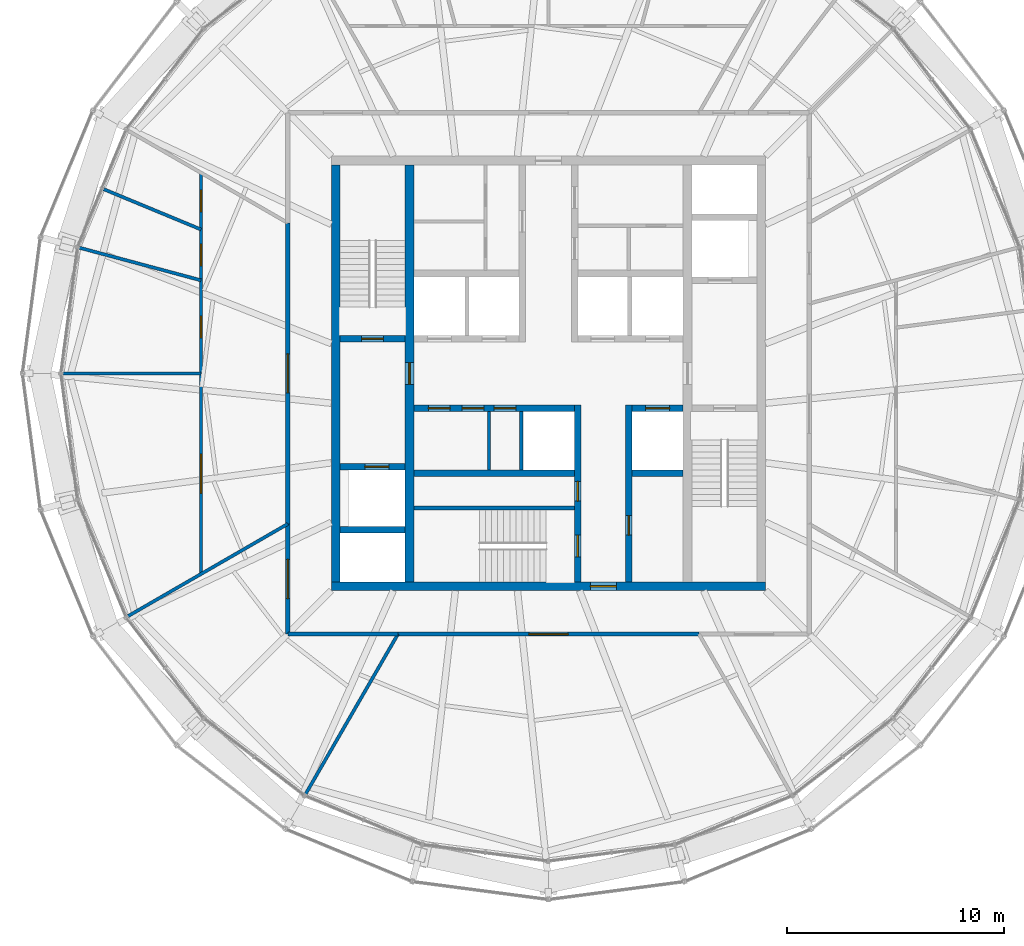
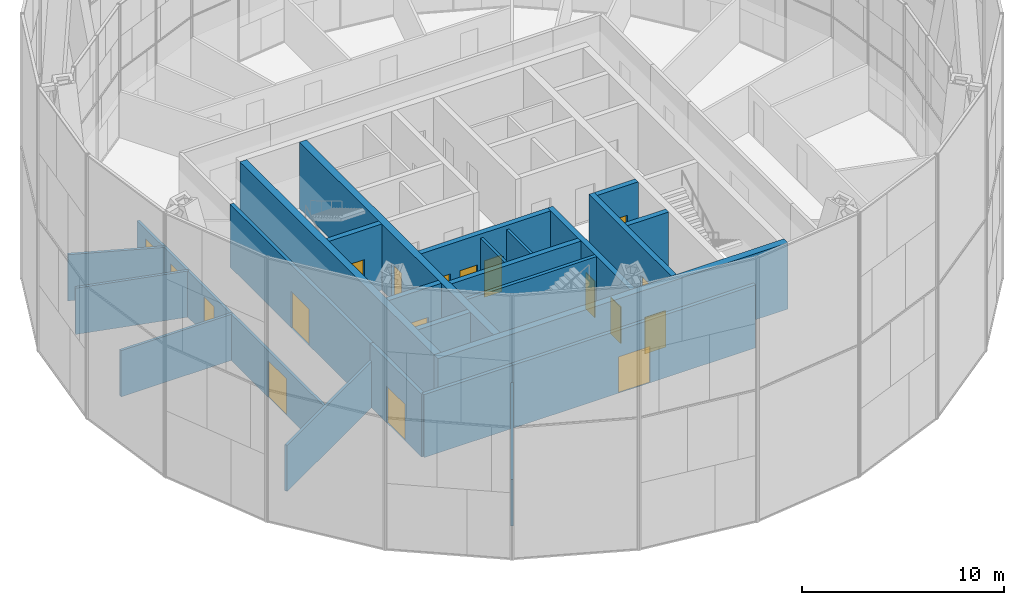
# One storey, part 18 of 22: 25 walls, 18 doors, 18 openings.
"""IFC4 building model written with IfcOpenShell, lengths in metres."""

from ifc_helpers import new_model, si_unit, direction, frame, frame_2d, origin, place, context, subcontext, project, spatial, rectangle, extrude, material, layer, layer_set, type_object, element, fill, save


model = new_model("IFC4")

# Units and contexts
model_context = context("Model", 3, precision=1e-05, world=origin(), true_north=direction((0.0, 1.0)))
body_context = subcontext(model_context, "Body", "Model", "MODEL_VIEW")
ifc_project = project(units=[si_unit("LENGTHUNIT", "METRE"), si_unit("AREAUNIT", "SQUARE_METRE"), si_unit("VOLUMEUNIT", "CUBIC_METRE"), si_unit("PLANEANGLEUNIT", "RADIAN"), si_unit("MASSUNIT", "GRAM", prefix="KILO")], contexts=[model_context])

# Site, building, storey
site_placement = place(None, origin())
site = spatial("IfcSite", under=ifc_project, at=site_placement, CompositionType="ELEMENT")
building_placement = place(site_placement, origin())
building = spatial("IfcBuilding", under=site, at=building_placement, Name="Golbaran Civic Tower", CompositionType="ELEMENT")
storey_placement = place(building_placement, frame((0.0, 0.0, 248.0)))
storey = spatial("IfcBuildingStorey", under=building, at=storey_placement, Name="L60", CompositionType="ELEMENT", Elevation=248.0)

# Walls
ifc_material_1 = material(Name="Concrete block", Category="concrete")
ifc_layer_1 = layer(ifc_material_1, 0.14990234375, Name="Concrete block")
ifc_layer_set_1 = layer_set([ifc_layer_1], Name="Concrete block")
wall_type_1 = type_object("IfcWallType", Name="BLOCKWORK PARTITION 150", PredefinedType="PARTITIONING", material=ifc_layer_set_1)
for number, where, z_axis, x_axis, name in (
    (1, (-2.739990234375, -1.75, 0.0), (0.0, 0.0, 1.0), (0.0, -1.0, 0.0), "Core room partition HP0 L60"),
    (2, (-1.25, -1.75, 0.0), (0.0, 0.0, 1.0), (0.0, -1.0, 0.0), "Lift H3 hoistway west wall L60"),
):
    element("IfcWall", number, at=place(storey_placement, frame(where, z_axis=z_axis, x_axis=x_axis)), inside=storey, type_object=wall_type_1, Name=name, PredefinedType="PARTITIONING", context=body_context, shape_type="SweptSolid", body=[
        extrude(rectangle(XDim=2.699951171875, YDim=0.14990234375, at=frame_2d((1.35009765625, 0.0))), origin(), (0.0, 0.0, 1.0), 3.75),
    ])

# Wall, opening, door
ifc_material_2 = material(Name="Concrete C50/60", Category="concrete")
ifc_layer_2 = layer(ifc_material_2, 0.39990234375, Name="Concrete C50/60")
ifc_layer_set_2 = layer_set([ifc_layer_2], Name="Concrete C50/60")
wall_type_2 = type_object("IfcWallType", Name="CORE WALL CONCRETE 400", PredefinedType="SOLIDWALL", material=ifc_layer_set_2)
wall_1_placement = place(storey_placement, frame((10.0, -9.800048828125, 0.0), z_axis=(0.0, 0.0, 1.0), x_axis=(-1.0, 0.0, 0.0)))
wall_1 = element("IfcWall", 3, at=wall_1_placement, inside=storey, type_object=wall_type_2, Name="Core wall CS L60", PredefinedType="SOLIDWALL", context=body_context, shape_type="SweptSolid", body=[
    extrude(rectangle(XDim=20.0, YDim=0.39990234375, at=frame_2d((10.0, 0.0))), origin(), (0.0, 0.0, 1.0), 4.0),
])
opening_1_placement = place(wall_1_placement, frame((6.875, 0.0, 0.0)))
opening_1 = element("IfcOpeningElement", 4, at=opening_1_placement, cuts=wall_1, Name="Opening L60.CS", PredefinedType="OPENING", context=body_context, shape_type="SweptSolid", body=[
    extrude(rectangle(XDim=1.199951171875, YDim=2.199951171875, at=frame_2d((0.60009765625, 1.10009765625))), frame((0.0, 0.2099609375, 0.0), z_axis=(0.0, -1.0, 0.0), x_axis=(1.0, 0.0, 0.0)), (0.0, 0.0, 1.0), 0.419921875),
])
ifc_material_3 = material(Name="Timber door set in steel frame", Category="steel")
door_type_1 = type_object("IfcDoorType", Name="CORE DOOR 1200x2200", OperationType="DOUBLE_DOOR_SINGLE_SWING", PredefinedType="DOOR", material=ifc_material_3)
door_1_placement = place(opening_1_placement, origin())
door_1 = element("IfcDoor", 5, at=door_1_placement, inside=storey, type_object=door_type_1, Name="Core door south", OperationType="DOUBLE_DOOR_SINGLE_SWING", OverallHeight=2.199951171875, OverallWidth=1.199951171875, PredefinedType="DOOR", context=body_context, shape_type="SweptSolid", body=[
    extrude(rectangle(XDim=1.199951171875, YDim=2.199951171875, at=frame_2d((0.60009765625, 1.10009765625))), frame((0.0, 0.02490234375, 0.0), z_axis=(0.0, -1.0, 0.0), x_axis=(1.0, 0.0, 0.0)), (0.0, 0.0, 1.0), 0.050048828125),
])
fill(opening_1, door_1)

# Wall
wall_2_placement = place(storey_placement, frame((-9.800048828125, 9.60009765625, 0.0), z_axis=(0.0, 0.0, 1.0), x_axis=(0.0, -1.0, 0.0)))
element("IfcWall", 6, at=wall_2_placement, inside=storey, type_object=wall_type_2, Name="Core wall CW L60", PredefinedType="SOLIDWALL", context=body_context, shape_type="SweptSolid", body=[
    extrude(rectangle(XDim=19.2001953125, YDim=0.39990234375, at=frame_2d((9.60009765625, 0.0))), origin(), (0.0, 0.0, 1.0), 4.0),
])

# Wall, opening, door
wall_3_placement = place(storey_placement, frame((-6.39990234375, -9.60009765625, 0.0), z_axis=(0.0, 0.0, 1.0), x_axis=(0.0, 1.0, 0.0)))
wall_3 = element("IfcWall", 7, at=wall_3_placement, inside=storey, type_object=wall_type_2, Name="Core wall IW L60", PredefinedType="SOLIDWALL", context=body_context, shape_type="SweptSolid", body=[
    extrude(rectangle(XDim=19.2001953125, YDim=0.39990234375, at=frame_2d((9.60009765625, 0.0))), origin(), (0.0, 0.0, 1.0), 4.0),
])
opening_2_placement = place(wall_3_placement, frame((9.10009765625, 0.0, 0.0)))
opening_2 = element("IfcOpeningElement", 8, at=opening_2_placement, cuts=wall_3, Name="Opening L60.FL1", PredefinedType="OPENING", context=body_context, shape_type="SweptSolid", body=[
    extrude(rectangle(XDim=1.0, YDim=2.199951171875, at=frame_2d((0.5, 1.10009765625))), frame((0.0, 0.2099609375, 0.0), z_axis=(0.0, -1.0, 0.0), x_axis=(1.0, 0.0, 0.0)), (0.0, 0.0, 1.0), 0.419921875),
])
door_type_2 = type_object("IfcDoorType", Name="STAIR DOOR 1000x2200", OperationType="SINGLE_SWING_LEFT", PredefinedType="DOOR", material=ifc_material_3)
door_2_placement = place(opening_2_placement, origin())
door_2 = element("IfcDoor", 9, at=door_2_placement, inside=storey, type_object=door_type_2, Name="Fire-fighting lobby FL1 door", OperationType="SINGLE_SWING_LEFT", OverallHeight=2.199951171875, OverallWidth=1.0, PredefinedType="DOOR", context=body_context, shape_type="SweptSolid", body=[
    extrude(rectangle(XDim=1.0, YDim=2.199951171875, at=frame_2d((0.5, 1.10009765625))), frame((0.0, 0.02490234375, 0.0), z_axis=(0.0, -1.0, 0.0), x_axis=(1.0, 0.0, 0.0)), (0.0, 0.0, 1.0), 0.050048828125),
])
fill(opening_2, door_2)

ifc_material_4 = material(Name="Gypsum board on steel studs, fire-rated", Category="steel")
ifc_layer_3 = layer(ifc_material_4, 0.199951171875, Name="Gypsum board on steel studs, fire-rated")
ifc_layer_set_3 = layer_set([ifc_layer_3], Name="Gypsum board on steel studs, fire-rated")
wall_type_3 = type_object("IfcWallType", Name="CORRIDOR WALL 200", PredefinedType="PARTITIONING", material=ifc_layer_set_3)
wall_4_placement = place(storey_placement, frame((-12.0, 6.92822265625, 0.0), z_axis=(0.0, 0.0, 1.0), x_axis=(0.0, -1.0, 0.0)))
wall_4 = element("IfcWall", 10, at=wall_4_placement, inside=storey, type_object=wall_type_3, Name="Corridor wall L60", PredefinedType="PARTITIONING", context=body_context, shape_type="SweptSolid", body=[
    extrude(rectangle(XDim=13.8564453125, YDim=0.199951171875, at=frame_2d((6.92822265625, 0.0))), origin(), (0.0, 0.0, 1.0), 3.800048828125),
])
opening_3_placement = place(wall_4_placement, frame((6.0283203125, 0.0, 0.0)))
opening_3 = element("IfcOpeningElement", 11, at=opening_3_placement, cuts=wall_4, Name="Opening L60.21", PredefinedType="OPENING", context=body_context, shape_type="SweptSolid", body=[
    extrude(rectangle(XDim=1.800048828125, YDim=2.199951171875, at=frame_2d((0.89990234375, 1.10009765625))), frame((0.0, 0.10986328125, 0.0), z_axis=(0.0, -1.0, 0.0), x_axis=(1.0, 0.0, 0.0)), (0.0, 0.0, 1.0), 0.219970703125),
])
door_type_3 = type_object("IfcDoorType", Name="OFFICE DOUBLE DOOR 1800x2200", OperationType="DOUBLE_DOOR_SINGLE_SWING", PredefinedType="DOOR", material=ifc_material_3)
door_3_placement = place(opening_3_placement, origin())
door_3 = element("IfcDoor", 12, at=door_3_placement, inside=storey, type_object=door_type_3, Name="Open Office door L60", OperationType="DOUBLE_DOOR_SINGLE_SWING", OverallHeight=2.199951171875, OverallWidth=1.800048828125, PredefinedType="DOOR", context=body_context, shape_type="SweptSolid", body=[
    extrude(rectangle(XDim=1.800048828125, YDim=2.199951171875, at=frame_2d((0.89990234375, 1.10009765625))), frame((0.0, 0.02490234375, 0.0), z_axis=(0.0, -1.0, 0.0), x_axis=(1.0, 0.0, 0.0)), (0.0, 0.0, 1.0), 0.050048828125),
])
fill(opening_3, door_3)

wall_5_placement = place(storey_placement, frame((-12.0, -6.92822265625, 0.0), z_axis=(0.0, 0.0, 1.0), x_axis=(0.0, -1.0, 0.0)))
wall_5 = element("IfcWall", 13, at=wall_5_placement, inside=storey, type_object=wall_type_3, Name="Corridor wall L60", PredefinedType="PARTITIONING", context=body_context, shape_type="SweptSolid", body=[
    extrude(rectangle(XDim=5.07177734375, YDim=0.199951171875, at=frame_2d((2.535888671875, 0.0))), origin(), (0.0, 0.0, 1.0), 3.800048828125),
])
opening_4_placement = place(wall_5_placement, frame((1.635986328125, 0.0, 0.0)))
opening_4 = element("IfcOpeningElement", 14, at=opening_4_placement, cuts=wall_5, Name="Opening L60.22", PredefinedType="OPENING", context=body_context, shape_type="SweptSolid", body=[
    extrude(rectangle(XDim=1.800048828125, YDim=2.199951171875, at=frame_2d((0.89990234375, 1.10009765625))), frame((0.0, 0.10986328125, 0.0), z_axis=(0.0, -1.0, 0.0), x_axis=(1.0, 0.0, 0.0)), (0.0, 0.0, 1.0), 0.219970703125),
])
door_4_placement = place(opening_4_placement, origin())
door_4 = element("IfcDoor", 15, at=door_4_placement, inside=storey, type_object=door_type_3, Name="Open Office door L60", OperationType="DOUBLE_DOOR_SINGLE_SWING", OverallHeight=2.199951171875, OverallWidth=1.800048828125, PredefinedType="DOOR", context=body_context, shape_type="SweptSolid", body=[
    extrude(rectangle(XDim=1.800048828125, YDim=2.199951171875, at=frame_2d((0.89990234375, 1.10009765625))), frame((0.0, 0.02490234375, 0.0), z_axis=(0.0, -1.0, 0.0), x_axis=(1.0, 0.0, 0.0)), (0.0, 0.0, 1.0), 0.050048828125),
])
fill(opening_4, door_4)

# Wall
wall_6_placement = place(storey_placement, frame((-12.0, -12.0, 0.0), z_axis=(0.0, 0.0, 1.0), x_axis=(1.0, 0.0, 0.0)))
element("IfcWall", 16, at=wall_6_placement, inside=storey, type_object=wall_type_3, Name="Corridor wall L60", PredefinedType="PARTITIONING", context=body_context, shape_type="SweptSolid", body=[
    extrude(rectangle(XDim=5.07177734375, YDim=0.199951171875, at=frame_2d((2.535888671875, 0.0))), origin(), (0.0, 0.0, 1.0), 3.800048828125),
])

# Wall, opening, door
wall_7_placement = place(storey_placement, frame((-6.92822265625, -12.0, 0.0), z_axis=(0.0, 0.0, 1.0), x_axis=(1.0, 0.0, 0.0)))
wall_7 = element("IfcWall", 17, at=wall_7_placement, inside=storey, type_object=wall_type_3, Name="Corridor wall L60", PredefinedType="PARTITIONING", context=body_context, shape_type="SweptSolid", body=[
    extrude(rectangle(XDim=13.8564453125, YDim=0.199951171875, at=frame_2d((6.92822265625, 0.0))), origin(), (0.0, 0.0, 1.0), 3.800048828125),
])
opening_5_placement = place(wall_7_placement, frame((6.0283203125, 0.0, 0.0)))
opening_5 = element("IfcOpeningElement", 18, at=opening_5_placement, cuts=wall_7, Name="Opening L60.23", PredefinedType="OPENING", context=body_context, shape_type="SweptSolid", body=[
    extrude(rectangle(XDim=1.800048828125, YDim=2.199951171875, at=frame_2d((0.89990234375, 1.10009765625))), frame((0.0, 0.10986328125, 0.0), z_axis=(0.0, -1.0, 0.0), x_axis=(1.0, 0.0, 0.0)), (0.0, 0.0, 1.0), 0.219970703125),
])
door_5_placement = place(opening_5_placement, origin())
door_5 = element("IfcDoor", 19, at=door_5_placement, inside=storey, type_object=door_type_3, Name="Open Office door L60", OperationType="DOUBLE_DOOR_SINGLE_SWING", OverallHeight=2.199951171875, OverallWidth=1.800048828125, PredefinedType="DOOR", context=body_context, shape_type="SweptSolid", body=[
    extrude(rectangle(XDim=1.800048828125, YDim=2.199951171875, at=frame_2d((0.89990234375, 1.10009765625))), frame((0.0, 0.02490234375, 0.0), z_axis=(0.0, -1.0, 0.0), x_axis=(1.0, 0.0, 0.0)), (0.0, 0.0, 1.0), 0.050048828125),
])
fill(opening_5, door_5)

# Walls
ifc_material_5 = material(Name="Gypsum board on steel studs", Category="steel")
ifc_layer_4 = layer(ifc_material_5, 0.14990234375, Name="Gypsum board on steel studs")
ifc_layer_set_4 = layer_set([ifc_layer_4], Name="Gypsum board on steel studs")
wall_type_4 = type_object("IfcWallType", Name="OFFICE PARTITION 150", PredefinedType="PARTITIONING", material=ifc_layer_set_4)
for number, where, z_axis, x_axis, name in (
    (20, (-12.0, -6.92822265625, 0.0), (0.0, 0.0, 1.0), (-0.866026401553, -0.49999827181, 0.0), "Partition 210 L60"),
    (21, (-6.92822265625, -12.0, 0.0), (0.0, 0.0, 1.0), (-0.49999827181, -0.866026401553, 0.0), "Partition 240 L60"),
):
    element("IfcWall", number, at=place(storey_placement, frame(where, z_axis=z_axis, x_axis=x_axis)), inside=storey, type_object=wall_type_4, Name=name, PredefinedType="PARTITIONING", context=body_context, shape_type="SweptSolid", body=[
        extrude(rectangle(XDim=8.5048828125, YDim=0.14990234375, at=frame_2d((4.25244140625, 0.0))), origin(), (0.0, 0.0, 1.0), 2.7900390625),
    ])

# Wall, openings, doors
wall_8_placement = place(storey_placement, frame((-16.0, 9.237548828125, 0.0), z_axis=(0.0, 0.0, 1.0), x_axis=(0.0, -1.0, 0.0)))
wall_8 = element("IfcWall", 22, at=wall_8_placement, inside=storey, type_object=wall_type_4, Name="Suite partition L60", PredefinedType="PARTITIONING", context=body_context, shape_type="SweptSolid", body=[
    extrude(rectangle(XDim=18.47509765625, YDim=0.14990234375, at=frame_2d((9.237548828125, 0.0))), origin(), (0.0, 0.0, 1.0), 2.7900390625),
])
opening_6_placement = place(wall_8_placement, frame((0.80517578125, 0.0, 0.0)))
opening_6 = element("IfcOpeningElement", 23, at=opening_6_placement, cuts=wall_8, Name="Opening L60.10", PredefinedType="OPENING", context=body_context, shape_type="SweptSolid", body=[
    extrude(rectangle(XDim=1.0, YDim=2.199951171875, at=frame_2d((0.5, 1.10009765625))), frame((0.0, 0.0849609375, 0.0), z_axis=(0.0, -1.0, 0.0), x_axis=(1.0, 0.0, 0.0)), (0.0, 0.0, 1.0), 0.169921875),
])
opening_7_placement = place(wall_8_placement, frame((3.2802734375, 0.0, 0.0)))
opening_7 = element("IfcOpeningElement", 24, at=opening_7_placement, cuts=wall_8, Name="Opening L60.11", PredefinedType="OPENING", context=body_context, shape_type="SweptSolid", body=[
    extrude(rectangle(XDim=1.0, YDim=2.199951171875, at=frame_2d((0.5, 1.10009765625))), frame((0.0, 0.0849609375, 0.0), z_axis=(0.0, -1.0, 0.0), x_axis=(1.0, 0.0, 0.0)), (0.0, 0.0, 1.0), 0.169921875),
])
opening_8_placement = place(wall_8_placement, frame((6.593994140625, 0.0, 0.0)))
opening_8 = element("IfcOpeningElement", 25, at=opening_8_placement, cuts=wall_8, Name="Opening L60.12", PredefinedType="OPENING", context=body_context, shape_type="SweptSolid", body=[
    extrude(rectangle(XDim=1.0, YDim=2.199951171875, at=frame_2d((0.5, 1.10009765625))), frame((0.0, 0.0849609375, 0.0), z_axis=(0.0, -1.0, 0.0), x_axis=(1.0, 0.0, 0.0)), (0.0, 0.0, 1.0), 0.169921875),
])
opening_9_placement = place(wall_8_placement, frame((12.956298828125, 0.0, 0.0)))
opening_9 = element("IfcOpeningElement", 26, at=opening_9_placement, cuts=wall_8, Name="Opening L60.13", PredefinedType="OPENING", context=body_context, shape_type="SweptSolid", body=[
    extrude(rectangle(XDim=1.800048828125, YDim=2.199951171875, at=frame_2d((0.89990234375, 1.10009765625))), frame((0.0, 0.0849609375, 0.0), z_axis=(0.0, -1.0, 0.0), x_axis=(1.0, 0.0, 0.0)), (0.0, 0.0, 1.0), 0.169921875),
])
door_type_4 = type_object("IfcDoorType", Name="OFFICE DOOR 1000x2200", OperationType="SINGLE_SWING_LEFT", PredefinedType="DOOR", material=ifc_material_3)
door_6_placement = place(opening_6_placement, origin())
door_6 = element("IfcDoor", 27, at=door_6_placement, inside=storey, type_object=door_type_4, Name="Office door L60", OperationType="SINGLE_SWING_LEFT", OverallHeight=2.199951171875, OverallWidth=1.0, PredefinedType="DOOR", context=body_context, shape_type="SweptSolid", body=[
    extrude(rectangle(XDim=1.0, YDim=2.199951171875, at=frame_2d((0.5, 1.10009765625))), frame((0.0, 0.02490234375, 0.0), z_axis=(0.0, -1.0, 0.0), x_axis=(1.0, 0.0, 0.0)), (0.0, 0.0, 1.0), 0.050048828125),
])
fill(opening_6, door_6)
door_7_placement = place(opening_7_placement, origin())
door_7 = element("IfcDoor", 28, at=door_7_placement, inside=storey, type_object=door_type_4, Name="Office door L60", OperationType="SINGLE_SWING_LEFT", OverallHeight=2.199951171875, OverallWidth=1.0, PredefinedType="DOOR", context=body_context, shape_type="SweptSolid", body=[
    extrude(rectangle(XDim=1.0, YDim=2.199951171875, at=frame_2d((0.5, 1.10009765625))), frame((0.0, 0.02490234375, 0.0), z_axis=(0.0, -1.0, 0.0), x_axis=(1.0, 0.0, 0.0)), (0.0, 0.0, 1.0), 0.050048828125),
])
fill(opening_7, door_7)
door_8_placement = place(opening_8_placement, origin())
door_8 = element("IfcDoor", 29, at=door_8_placement, inside=storey, type_object=door_type_4, Name="Office door L60", OperationType="SINGLE_SWING_LEFT", OverallHeight=2.199951171875, OverallWidth=1.0, PredefinedType="DOOR", context=body_context, shape_type="SweptSolid", body=[
    extrude(rectangle(XDim=1.0, YDim=2.199951171875, at=frame_2d((0.5, 1.10009765625))), frame((0.0, 0.02490234375, 0.0), z_axis=(0.0, -1.0, 0.0), x_axis=(1.0, 0.0, 0.0)), (0.0, 0.0, 1.0), 0.050048828125),
])
fill(opening_8, door_8)
door_9_placement = place(opening_9_placement, origin())
door_9 = element("IfcDoor", 30, at=door_9_placement, inside=storey, type_object=door_type_3, Name="Meeting Room door L60", OperationType="DOUBLE_DOOR_SINGLE_SWING", OverallHeight=2.199951171875, OverallWidth=1.800048828125, PredefinedType="DOOR", context=body_context, shape_type="SweptSolid", body=[
    extrude(rectangle(XDim=1.800048828125, YDim=2.199951171875, at=frame_2d((0.89990234375, 1.10009765625))), frame((0.0, 0.02490234375, 0.0), z_axis=(0.0, -1.0, 0.0), x_axis=(1.0, 0.0, 0.0)), (0.0, 0.0, 1.0), 0.050048828125),
])
fill(opening_9, door_9)

# Walls
wall_9_placement = place(storey_placement, frame((-16.0, 6.62744140625, 0.0), z_axis=(0.0, 0.0, 1.0), x_axis=(-0.923878838758, 0.38268510723, 0.0)))
element("IfcWall", 31, at=wall_9_placement, inside=storey, type_object=wall_type_4, Name="Partition 157.5 L60", PredefinedType="PARTITIONING", context=body_context, shape_type="SweptSolid", body=[
    extrude(rectangle(XDim=4.851806640625, YDim=0.14990234375, at=frame_2d((2.42578125, 0.0))), origin(), (0.0, 0.0, 1.0), 2.7900390625),
])
wall_10_placement = place(storey_placement, frame((-16.0, 4.287109375, 0.0), z_axis=(0.0, 0.0, 1.0), x_axis=(-0.96591966376, 0.258842042881, 0.0)))
element("IfcWall", 32, at=wall_10_placement, inside=storey, type_object=wall_type_4, Name="Partition 165 L60", PredefinedType="PARTITIONING", context=body_context, shape_type="SweptSolid", body=[
    extrude(rectangle(XDim=5.796875, YDim=0.14990234375, at=frame_2d((2.8984375, 0.0))), origin(), (0.0, 0.0, 1.0), 2.7900390625),
])
wall_11_placement = place(storey_placement, frame((-16.0, 0.0, 0.0), z_axis=(0.0, 0.0, 1.0), x_axis=(-1.0, 0.0, 0.0)))
element("IfcWall", 33, at=wall_11_placement, inside=storey, type_object=wall_type_4, Name="Partition 180 L60", PredefinedType="PARTITIONING", context=body_context, shape_type="SweptSolid", body=[
    extrude(rectangle(XDim=6.361328125, YDim=0.14990234375, at=frame_2d((3.1806640625, 0.0))), origin(), (0.0, 0.0, 1.0), 2.7900390625),
])
ifc_layer_5 = layer(ifc_material_2, 0.199951171875, Name="Concrete C50/60")
ifc_layer_set_5 = layer_set([ifc_layer_5], Name="Concrete C50/60")
wall_type_5 = type_object("IfcWallType", Name="SHAFT WALL CONCRETE 200", PredefinedType="SOLIDWALL", material=ifc_layer_set_5)
wall_12_placement = place(storey_placement, frame((-6.199951171875, -6.199951171875, 0.0), z_axis=(0.0, 0.0, 1.0), x_axis=(1.0, 0.0, 0.0)))
element("IfcWall", 34, at=wall_12_placement, inside=storey, type_object=wall_type_5, Name="Core wall S3N L60", PredefinedType="SOLIDWALL", context=body_context, shape_type="SweptSolid", body=[
    extrude(rectangle(XDim=7.39990234375, YDim=0.199951171875, at=frame_2d((3.699951171875, 0.0))), origin(), (0.0, 0.0, 1.0), 4.0),
])

# Wall, openings, doors
ifc_layer_6 = layer(ifc_material_2, 0.300048828125, Name="Concrete C50/60")
ifc_layer_set_6 = layer_set([ifc_layer_6], Name="Concrete C50/60")
wall_type_6 = type_object("IfcWallType", Name="SHAFT WALL CONCRETE 300", PredefinedType="SOLIDWALL", material=ifc_layer_set_6)
wall_13_placement = place(storey_placement, frame((-6.199951171875, -1.60009765625, 0.0), z_axis=(0.0, 0.0, 1.0), x_axis=(1.0, 0.0, 0.0)))
wall_13 = element("IfcWall", 35, at=wall_13_placement, inside=storey, type_object=wall_type_6, Name="Core wall FSW L60", PredefinedType="SOLIDWALL", context=body_context, shape_type="SweptSolid", body=[
    extrude(rectangle(XDim=7.39990234375, YDim=0.300048828125, at=frame_2d((3.699951171875, 0.0))), origin(), (0.0, 0.0, 1.0), 4.0),
])
opening_10_placement = place(wall_13_placement, frame((0.675048828125, 0.0, 0.0)))
opening_10 = element("IfcOpeningElement", 36, at=opening_10_placement, cuts=wall_13, Name="Opening L60.H1R", PredefinedType="OPENING", context=body_context, shape_type="SweptSolid", body=[
    extrude(rectangle(XDim=1.0, YDim=2.199951171875, at=frame_2d((0.5, 1.10009765625))), frame((0.0, 0.159912109375, 0.0), z_axis=(0.0, -1.0, 0.0), x_axis=(1.0, 0.0, 0.0)), (0.0, 0.0, 1.0), 0.320068359375),
])
opening_11_placement = place(wall_13_placement, frame((2.22509765625, 0.0, 0.0)))
opening_11 = element("IfcOpeningElement", 37, at=opening_11_placement, cuts=wall_13, Name="Opening L60.H2R", PredefinedType="OPENING", context=body_context, shape_type="SweptSolid", body=[
    extrude(rectangle(XDim=1.0, YDim=2.199951171875, at=frame_2d((0.5, 1.10009765625))), frame((0.0, 0.159912109375, 0.0), z_axis=(0.0, -1.0, 0.0), x_axis=(1.0, 0.0, 0.0)), (0.0, 0.0, 1.0), 0.320068359375),
])
opening_12_placement = place(wall_13_placement, frame((3.695068359375, 0.0, 0.0)))
opening_12 = element("IfcOpeningElement", 38, at=opening_12_placement, cuts=wall_13, Name="Opening L60.H3R", PredefinedType="OPENING", context=body_context, shape_type="SweptSolid", body=[
    extrude(rectangle(XDim=1.0, YDim=2.199951171875, at=frame_2d((0.5, 1.10009765625))), frame((0.0, 0.159912109375, 0.0), z_axis=(0.0, -1.0, 0.0), x_axis=(1.0, 0.0, 0.0)), (0.0, 0.0, 1.0), 0.320068359375),
])
door_type_5 = type_object("IfcDoorType", Name="CORE ROOM DOOR 1000x2200", OperationType="SINGLE_SWING_LEFT", PredefinedType="DOOR", material=ifc_material_3)
door_10_placement = place(opening_10_placement, origin())
door_10 = element("IfcDoor", 39, at=door_10_placement, inside=storey, type_object=door_type_5, Name="Vending and Pantry Room door", OperationType="SINGLE_SWING_LEFT", OverallHeight=2.199951171875, OverallWidth=1.0, PredefinedType="DOOR", context=body_context, shape_type="SweptSolid", body=[
    extrude(rectangle(XDim=1.0, YDim=2.199951171875, at=frame_2d((0.5, 1.10009765625))), frame((0.0, 0.02490234375, 0.0), z_axis=(0.0, -1.0, 0.0), x_axis=(1.0, 0.0, 0.0)), (0.0, 0.0, 1.0), 0.050048828125),
])
fill(opening_10, door_10)
door_11_placement = place(opening_11_placement, origin())
door_11 = element("IfcDoor", 40, at=door_11_placement, inside=storey, type_object=door_type_5, Name="Vending and Pantry Room door", OperationType="SINGLE_SWING_LEFT", OverallHeight=2.199951171875, OverallWidth=1.0, PredefinedType="DOOR", context=body_context, shape_type="SweptSolid", body=[
    extrude(rectangle(XDim=1.0, YDim=2.199951171875, at=frame_2d((0.5, 1.10009765625))), frame((0.0, 0.02490234375, 0.0), z_axis=(0.0, -1.0, 0.0), x_axis=(1.0, 0.0, 0.0)), (0.0, 0.0, 1.0), 0.050048828125),
])
fill(opening_11, door_11)
door_12_placement = place(opening_12_placement, origin())
door_12 = element("IfcDoor", 41, at=door_12_placement, inside=storey, type_object=door_type_5, Name="Housekeeping Store door", OperationType="SINGLE_SWING_RIGHT", OverallHeight=2.199951171875, OverallWidth=1.0, PredefinedType="DOOR", context=body_context, shape_type="SweptSolid", body=[
    extrude(rectangle(XDim=1.0, YDim=2.199951171875, at=frame_2d((0.5, 1.10009765625))), frame((0.0, 0.02490234375, 0.0), z_axis=(0.0, -1.0, 0.0), x_axis=(1.0, 0.0, 0.0)), (0.0, 0.0, 1.0), 0.050048828125),
])
fill(opening_12, door_12)

# Wall, opening, door
wall_14_placement = place(storey_placement, frame((3.85009765625, -1.60009765625, 0.0), z_axis=(0.0, 0.0, 1.0), x_axis=(1.0, 0.0, 0.0)))
wall_14 = element("IfcWall", 42, at=wall_14_placement, inside=storey, type_object=wall_type_6, Name="Core wall FSE L60", PredefinedType="SOLIDWALL", context=body_context, shape_type="SweptSolid", body=[
    extrude(rectangle(XDim=2.349853515625, YDim=0.300048828125, at=frame_2d((1.1748046875, 0.0))), origin(), (0.0, 0.0, 1.0), 4.0),
])
opening_13_placement = place(wall_14_placement, frame((0.625, 0.0, 0.0)))
opening_13 = element("IfcOpeningElement", 43, at=opening_13_placement, cuts=wall_14, Name="Opening L60.LD-V1", PredefinedType="OPENING", context=body_context, shape_type="SweptSolid", body=[
    extrude(rectangle(XDim=1.10009765625, YDim=2.199951171875, at=frame_2d((0.550048828125, 1.10009765625))), frame((0.0, 0.159912109375, 0.0), z_axis=(0.0, -1.0, 0.0), x_axis=(1.0, 0.0, 0.0)), (0.0, 0.0, 1.0), 0.320068359375),
])
ifc_material_6 = material(Name="Stainless steel", Category="steel")
door_type_6 = type_object("IfcDoorType", Name="LIFT LANDING DOOR 1100x2200", OperationType="SLIDING_TO_LEFT", PredefinedType="DOOR", material=ifc_material_6)
door_13_placement = place(opening_13_placement, origin())
door_13 = element("IfcDoor", 44, at=door_13_placement, inside=storey, type_object=door_type_6, Name="Lift landing door V1", OperationType="SLIDING_TO_LEFT", OverallHeight=2.199951171875, OverallWidth=1.10009765625, PredefinedType="DOOR", context=body_context, shape_type="SweptSolid", body=[
    extrude(rectangle(XDim=1.10009765625, YDim=2.199951171875, at=frame_2d((0.550048828125, 1.10009765625))), frame((0.0, 0.02490234375, 0.0), z_axis=(0.0, -1.0, 0.0), x_axis=(1.0, 0.0, 0.0)), (0.0, 0.0, 1.0), 0.050048828125),
])
fill(opening_13, door_13)

# Walls
wall_15_placement = place(storey_placement, frame((-6.199951171875, -4.60009765625, 0.0), z_axis=(0.0, 0.0, 1.0), x_axis=(1.0, 0.0, 0.0)))
element("IfcWall", 45, at=wall_15_placement, inside=storey, type_object=wall_type_6, Name="Core wall BSW L60", PredefinedType="SOLIDWALL", context=body_context, shape_type="SweptSolid", body=[
    extrude(rectangle(XDim=7.39990234375, YDim=0.300048828125, at=frame_2d((3.699951171875, 0.0))), origin(), (0.0, 0.0, 1.0), 4.0),
])
wall_16_placement = place(storey_placement, frame((3.85009765625, -4.60009765625, 0.0), z_axis=(0.0, 0.0, 1.0), x_axis=(1.0, 0.0, 0.0)))
element("IfcWall", 46, at=wall_16_placement, inside=storey, type_object=wall_type_6, Name="Core wall BSE L60", PredefinedType="SOLIDWALL", context=body_context, shape_type="SweptSolid", body=[
    extrude(rectangle(XDim=2.349853515625, YDim=0.300048828125, at=frame_2d((1.1748046875, 0.0))), origin(), (0.0, 0.0, 1.0), 4.0),
])

# Wall, openings, doors
wall_17_placement = place(storey_placement, frame((1.35009765625, -1.449951171875, 0.0), z_axis=(0.0, 0.0, 1.0), x_axis=(0.0, -1.0, 0.0)))
wall_17 = element("IfcWall", 47, at=wall_17_placement, inside=storey, type_object=wall_type_6, Name="Core wall PSW L60", PredefinedType="SOLIDWALL", context=body_context, shape_type="SweptSolid", body=[
    extrude(rectangle(XDim=8.150146484375, YDim=0.300048828125, at=frame_2d((4.0751953125, 0.0))), origin(), (0.0, 0.0, 1.0), 4.0),
])
opening_14_placement = place(wall_17_placement, frame((6.0, 0.0, 0.0)))
opening_14 = element("IfcOpeningElement", 48, at=opening_14_placement, cuts=wall_17, Name="Opening L60.S3", PredefinedType="OPENING", context=body_context, shape_type="SweptSolid", body=[
    extrude(rectangle(XDim=1.0, YDim=2.199951171875, at=frame_2d((0.5, 1.10009765625))), frame((0.0, 0.159912109375, 0.0), z_axis=(0.0, -1.0, 0.0), x_axis=(1.0, 0.0, 0.0)), (0.0, 0.0, 1.0), 0.320068359375),
])
opening_15_placement = place(wall_17_placement, frame((3.52490234375, 0.0, 0.0)))
opening_15 = element("IfcOpeningElement", 49, at=opening_15_placement, cuts=wall_17, Name="Opening L60.RE", PredefinedType="OPENING", context=body_context, shape_type="SweptSolid", body=[
    extrude(rectangle(XDim=0.89990234375, YDim=2.199951171875, at=frame_2d((0.449951171875, 1.10009765625))), frame((0.0, 0.159912109375, 0.0), z_axis=(0.0, -1.0, 0.0), x_axis=(1.0, 0.0, 0.0)), (0.0, 0.0, 1.0), 0.320068359375),
])
door_type_7 = type_object("IfcDoorType", Name="RISER DOOR 900x2200", OperationType="SINGLE_SWING_LEFT", PredefinedType="DOOR", material=ifc_material_3)
door_14_placement = place(opening_15_placement, origin())
door_14 = element("IfcDoor", 50, at=door_14_placement, inside=storey, type_object=door_type_7, Name="Electrical riser door", OperationType="SINGLE_SWING_LEFT", OverallHeight=2.199951171875, OverallWidth=0.89990234375, PredefinedType="DOOR", context=body_context, shape_type="SweptSolid", body=[
    extrude(rectangle(XDim=0.89990234375, YDim=2.199951171875, at=frame_2d((0.449951171875, 1.10009765625))), frame((0.0, 0.02490234375, 0.0), z_axis=(0.0, -1.0, 0.0), x_axis=(1.0, 0.0, 0.0)), (0.0, 0.0, 1.0), 0.050048828125),
])
fill(opening_15, door_14)
door_15_placement = place(opening_14_placement, origin())
door_15 = element("IfcDoor", 51, at=door_15_placement, inside=storey, type_object=door_type_2, Name="Stair S3 door", OperationType="SINGLE_SWING_RIGHT", OverallHeight=2.199951171875, OverallWidth=1.0, PredefinedType="DOOR", context=body_context, shape_type="SweptSolid", body=[
    extrude(rectangle(XDim=1.0, YDim=2.199951171875, at=frame_2d((0.5, 1.10009765625))), frame((0.0, 0.02490234375, 0.0), z_axis=(0.0, -1.0, 0.0), x_axis=(1.0, 0.0, 0.0)), (0.0, 0.0, 1.0), 0.050048828125),
])
fill(opening_14, door_15)

# Wall, opening, door
wall_18_placement = place(storey_placement, frame((3.699951171875, -1.449951171875, 0.0), z_axis=(0.0, 0.0, 1.0), x_axis=(0.0, -1.0, 0.0)))
wall_18 = element("IfcWall", 52, at=wall_18_placement, inside=storey, type_object=wall_type_6, Name="Core wall PSE L60", PredefinedType="SOLIDWALL", context=body_context, shape_type="SweptSolid", body=[
    extrude(rectangle(XDim=8.150146484375, YDim=0.300048828125, at=frame_2d((4.0751953125, 0.0))), origin(), (0.0, 0.0, 1.0), 4.0),
])
opening_16_placement = place(wall_18_placement, frame((5.10009765625, 0.0, 0.0)))
opening_16 = element("IfcOpeningElement", 53, at=opening_16_placement, cuts=wall_18, Name="Opening L60.RM", PredefinedType="OPENING", context=body_context, shape_type="SweptSolid", body=[
    extrude(rectangle(XDim=0.89990234375, YDim=2.199951171875, at=frame_2d((0.449951171875, 1.10009765625))), frame((0.0, 0.159912109375, 0.0), z_axis=(0.0, -1.0, 0.0), x_axis=(1.0, 0.0, 0.0)), (0.0, 0.0, 1.0), 0.320068359375),
])
door_16_placement = place(opening_16_placement, origin())
door_16 = element("IfcDoor", 54, at=door_16_placement, inside=storey, type_object=door_type_7, Name="Mechanical riser door", OperationType="SINGLE_SWING_RIGHT", OverallHeight=2.199951171875, OverallWidth=0.89990234375, PredefinedType="DOOR", context=body_context, shape_type="SweptSolid", body=[
    extrude(rectangle(XDim=0.89990234375, YDim=2.199951171875, at=frame_2d((0.449951171875, 1.10009765625))), frame((0.0, 0.02490234375, 0.0), z_axis=(0.0, -1.0, 0.0), x_axis=(1.0, 0.0, 0.0)), (0.0, 0.0, 1.0), 0.050048828125),
])
fill(opening_16, door_16)

wall_19_placement = place(storey_placement, frame((-9.60009765625, 1.60009765625, 0.0), z_axis=(0.0, 0.0, 1.0), x_axis=(1.0, 0.0, 0.0)))
wall_19 = element("IfcWall", 55, at=wall_19_placement, inside=storey, type_object=wall_type_6, Name="Core wall XW1 L60", PredefinedType="SOLIDWALL", context=body_context, shape_type="SweptSolid", body=[
    extrude(rectangle(XDim=3.0, YDim=0.300048828125, at=frame_2d((1.5, 0.0))), origin(), (0.0, 0.0, 1.0), 4.0),
])
opening_17_placement = place(wall_19_placement, frame((1.0, 0.0, 0.0)))
opening_17 = element("IfcOpeningElement", 56, at=opening_17_placement, cuts=wall_19, Name="Opening L60.S1", PredefinedType="OPENING", context=body_context, shape_type="SweptSolid", body=[
    extrude(rectangle(XDim=1.0, YDim=2.199951171875, at=frame_2d((0.5, 1.10009765625))), frame((0.0, 0.159912109375, 0.0), z_axis=(0.0, -1.0, 0.0), x_axis=(1.0, 0.0, 0.0)), (0.0, 0.0, 1.0), 0.320068359375),
])
door_17_placement = place(opening_17_placement, origin())
door_17 = element("IfcDoor", 57, at=door_17_placement, inside=storey, type_object=door_type_2, Name="Stair S1 door", OperationType="SINGLE_SWING_LEFT", OverallHeight=2.199951171875, OverallWidth=1.0, PredefinedType="DOOR", context=body_context, shape_type="SweptSolid", body=[
    extrude(rectangle(XDim=1.0, YDim=2.199951171875, at=frame_2d((0.5, 1.10009765625))), frame((0.0, 0.02490234375, 0.0), z_axis=(0.0, -1.0, 0.0), x_axis=(1.0, 0.0, 0.0)), (0.0, 0.0, 1.0), 0.050048828125),
])
fill(opening_17, door_17)

wall_20_placement = place(storey_placement, frame((-9.60009765625, -4.300048828125, 0.0), z_axis=(0.0, 0.0, 1.0), x_axis=(1.0, 0.0, 0.0)))
wall_20 = element("IfcWall", 58, at=wall_20_placement, inside=storey, type_object=wall_type_6, Name="Core wall XW2 L60", PredefinedType="SOLIDWALL", context=body_context, shape_type="SweptSolid", body=[
    extrude(rectangle(XDim=3.0, YDim=0.300048828125, at=frame_2d((1.5, 0.0))), origin(), (0.0, 0.0, 1.0), 4.0),
])
opening_18_placement = place(wall_20_placement, frame((1.14990234375, 0.0, 0.0)))
opening_18 = element("IfcOpeningElement", 59, at=opening_18_placement, cuts=wall_20, Name="Opening L60.LD-F1", PredefinedType="OPENING", context=body_context, shape_type="SweptSolid", body=[
    extrude(rectangle(XDim=1.10009765625, YDim=2.199951171875, at=frame_2d((0.550048828125, 1.10009765625))), frame((0.0, 0.159912109375, 0.0), z_axis=(0.0, -1.0, 0.0), x_axis=(1.0, 0.0, 0.0)), (0.0, 0.0, 1.0), 0.320068359375),
])
door_18_placement = place(opening_18_placement, origin())
door_18 = element("IfcDoor", 60, at=door_18_placement, inside=storey, type_object=door_type_6, Name="Lift landing door F1", OperationType="SLIDING_TO_LEFT", OverallHeight=2.199951171875, OverallWidth=1.10009765625, PredefinedType="DOOR", context=body_context, shape_type="SweptSolid", body=[
    extrude(rectangle(XDim=1.10009765625, YDim=2.199951171875, at=frame_2d((0.550048828125, 1.10009765625))), frame((0.0, 0.02490234375, 0.0), z_axis=(0.0, -1.0, 0.0), x_axis=(1.0, 0.0, 0.0)), (0.0, 0.0, 1.0), 0.050048828125),
])
fill(opening_18, door_18)

# Wall
wall_21_placement = place(storey_placement, frame((-9.60009765625, -7.199951171875, 0.0), z_axis=(0.0, 0.0, 1.0), x_axis=(1.0, 0.0, 0.0)))
element("IfcWall", 61, at=wall_21_placement, inside=storey, type_object=wall_type_6, Name="Core wall XW3 L60", PredefinedType="SOLIDWALL", context=body_context, shape_type="SweptSolid", body=[
    extrude(rectangle(XDim=3.0, YDim=0.300048828125, at=frame_2d((1.5, 0.0))), origin(), (0.0, 0.0, 1.0), 4.0),
])

save(model, "model.ifc")
